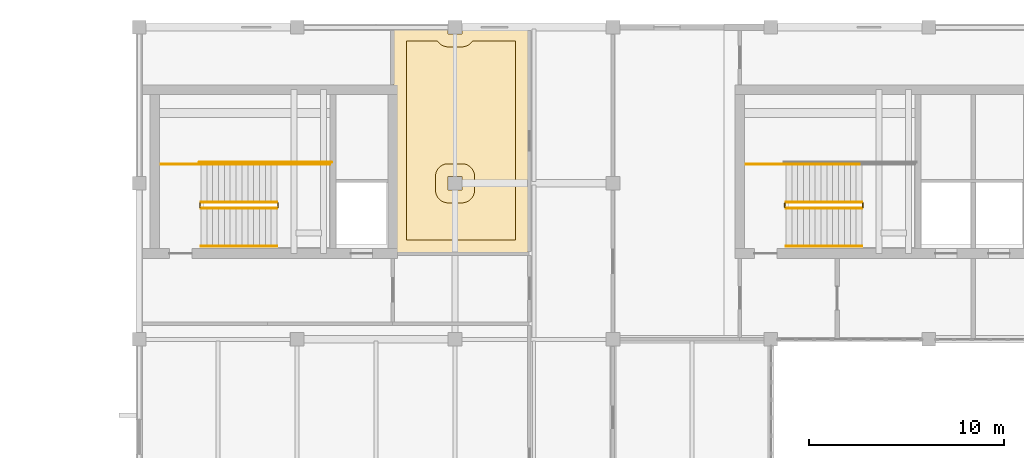
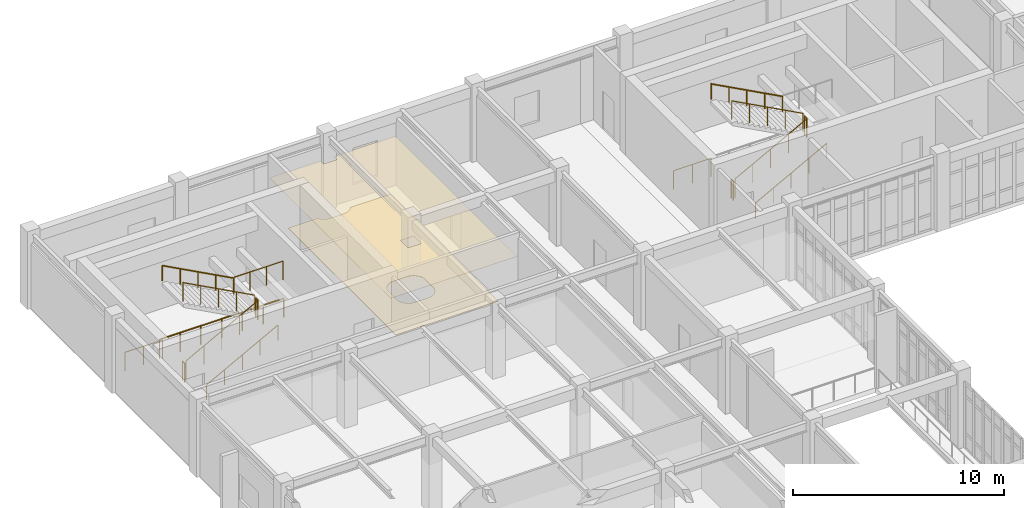
# One storey, part 65 of 67: 16 railings, 2 coverings.
"""IFC4 building model written with IfcOpenShell, lengths in metres."""

import ifcopenshell
import ifcopenshell.guid

model = None  # the IFC model being written
_history = None  # IfcOwnerHistory: only IFC2X3 demands one
_inside = {}  # id of a spatial element -> (the spatial element, [elements in it])
_under = {}  # id of a project, library or spatial element -> (it, [spatial elements below it])
_declared = {}  # id of a project -> (the project, [libraries it declares])
_typed = {}  # id of a type object -> (the type object, [elements of that type])
_made_of = {}  # id of a material, layer set ... -> (it, [elements and type objects made of it])


def new_model(schema):
    """Start an empty IFC model of exactly this schema.

    Asked for "IFC4X3", IfcOpenShell would pick the latest addendum, in which some entities
    have other attributes; the version numbers below select the first issue.
    IFC2X3 requires an IfcOwnerHistory on every rooted entity: one is made here for all.
    """
    global model, _history
    if schema == "IFC4X3":
        model = ifcopenshell.file(schema_version=(4, 3, 0, 0))
    else:
        model = ifcopenshell.file(schema=schema)
    _inside.clear()
    _under.clear()
    _declared.clear()
    _typed.clear()
    _made_of.clear()
    _history = None
    if model.schema == "IFC2X3":
        org = make("IfcOrganization", Name="unknown")
        user = make(
            "IfcPersonAndOrganization",
            ThePerson=make("IfcPerson", FamilyName="unknown"),
            TheOrganization=org,
        )
        app = make(
            "IfcApplication",
            ApplicationDeveloper=org,
            Version="unknown",
            ApplicationFullName="unknown",
            ApplicationIdentifier="unknown",
        )
        _history = make(
            "IfcOwnerHistory",
            OwningUser=user,
            OwningApplication=app,
            ChangeAction="ADDED",
            CreationDate=0,
        )
    return model


def make(cls, **values):
    """One entity of the class cls with the attributes given. An attribute that is None is left unset."""
    return model.create_entity(
        cls, **{name: value for name, value in values.items() if value is not None}
    )


def rooted(cls, **values):
    """An entity with a GlobalId (a new one), such as an element, a storey or a relation."""
    return make(cls, GlobalId=ifcopenshell.guid.new(), OwnerHistory=_history, **values)


def si_unit(unit_type, name, prefix=None):
    """IfcSIUnit, for example si_unit("LENGTHUNIT", "METRE", prefix="MILLI")."""
    return make("IfcSIUnit", UnitType=unit_type, Prefix=prefix, Name=name)


def assignment(units):
    """IfcUnitAssignment: the units of a project."""
    return None if units is None else make("IfcUnitAssignment", Units=units)


def point(xyz):
    """IfcCartesianPoint."""
    return None if xyz is None else make("IfcCartesianPoint", Coordinates=xyz)


def direction(xyz):
    """IfcDirection."""
    return None if xyz is None else make("IfcDirection", DirectionRatios=xyz)


def frame(location, z_axis=None, x_axis=None):
    """IfcAxis2Placement3D, a coordinate frame: its origin and axes. An axis left out is left unset."""
    return make(
        "IfcAxis2Placement3D",
        Location=point(location),
        Axis=direction(z_axis),
        RefDirection=direction(x_axis),
    )


def frame_2d(location, x_axis=None):
    """IfcAxis2Placement2D, a coordinate frame in the plane: its origin and x axis."""
    return make(
        "IfcAxis2Placement2D", Location=point(location), RefDirection=direction(x_axis)
    )


def origin():
    """The frame at (0, 0, 0) with its axes left unset."""
    return frame((0.0, 0.0, 0.0))


def origin_2d():
    """The frame at (0, 0) in the plane with its x axis left unset."""
    return frame_2d((0.0, 0.0))


def place(relative_to, where):
    """IfcLocalPlacement: puts the frame where relative to a parent placement (None: the world)."""
    return make(
        "IfcLocalPlacement", PlacementRelTo=relative_to, RelativePlacement=where
    )


def context(
    kind, dimensions, precision=None, world=None, true_north=None, identifier=None
):
    """IfcGeometricRepresentationContext, for example the 3D "Model" context."""
    return make(
        "IfcGeometricRepresentationContext",
        ContextIdentifier=identifier,
        ContextType=kind,
        CoordinateSpaceDimension=dimensions,
        Precision=precision,
        WorldCoordinateSystem=world,
        TrueNorth=true_north,
    )


def subcontext(parent, identifier, kind, view, scale=None):
    """IfcGeometricRepresentationSubContext, for example "Body" below "Model"."""
    return make(
        "IfcGeometricRepresentationSubContext",
        ContextIdentifier=identifier,
        ContextType=kind,
        ParentContext=parent,
        TargetScale=scale,
        TargetView=view,
    )


def project(units=None, contexts=None):
    """IfcProject with its units and contexts."""
    return rooted(
        "IfcProject",
        Name="project",
        RepresentationContexts=contexts,
        UnitsInContext=assignment(units),
    )


def spatial(cls, under=None, at=None, **own):
    """A site, building, storey or space (cls), placed at a placement, below another one or the project."""
    s = rooted(cls, ObjectPlacement=at, **own)
    if under is not None:
        _under.setdefault(under.id(), (under, []))[1].append(s)
    return s


def polyline(points):
    """IfcPolyline through the points."""
    return make("IfcPolyline", Points=[point(p) for p in points])


def profile(cls, at=None, kind="AREA", **sizes):
    """A parametric profile (cls). Its sizes go by their IFC names, for example OverallWidth=200.0."""
    return make(cls, ProfileType=kind, Position=at, **sizes)


def circle(**sizes):
    """IfcCircleProfileDef."""
    return profile("IfcCircleProfileDef", **sizes)


def outline(outer, holes=None, kind="AREA"):
    """IfcArbitraryClosedProfileDef: a profile drawn as a closed curve; with holes, ...WithVoids."""
    if holes is None:
        return make("IfcArbitraryClosedProfileDef", ProfileType=kind, OuterCurve=outer)
    return make(
        "IfcArbitraryProfileDefWithVoids",
        ProfileType=kind,
        OuterCurve=outer,
        InnerCurves=holes,
    )


def extrude(swept, where, along, depth):
    """IfcExtrudedAreaSolid: the profile swept, set in the frame where, extruded along a direction by depth."""
    return make(
        "IfcExtrudedAreaSolid",
        SweptArea=swept,
        Position=where,
        ExtrudedDirection=direction(along),
        Depth=depth,
    )


def shape(context_of_items, identifier, shape_type, items):
    """IfcShapeRepresentation: the items that make up one representation, for example the "Body"."""
    return make(
        "IfcShapeRepresentation",
        ContextOfItems=context_of_items,
        RepresentationIdentifier=identifier,
        RepresentationType=shape_type,
        Items=items,
    )


def material(Name=None, Category=None):
    """IfcMaterial."""
    return make("IfcMaterial", Name=Name, Category=Category)


def layer(
    of_material, thickness, ventilated=None, Name=None, Category=None, Priority=None
):
    """IfcMaterialLayer: one layer of a wall or slab, of a material (None: an air gap)."""
    return make(
        "IfcMaterialLayer",
        Material=of_material,
        LayerThickness=thickness,
        IsVentilated=ventilated,
        Name=Name,
        Category=Category,
        Priority=Priority,
    )


def layer_set(layers, Name=None):
    """IfcMaterialLayerSet."""
    return make("IfcMaterialLayerSet", MaterialLayers=layers, LayerSetName=Name)


def made_of(thing, what):
    """Note that an element or type object is made of a material, layer set ...; save() writes the relation."""
    if what is not None:
        _made_of.setdefault(what.id(), (what, []))[1].append(thing)
    return thing


def type_object(cls, material=None, **own):
    """A type object (cls), such as IfcWallType, which elements share."""
    return made_of(rooted(cls, **own), material)


def element(
    cls,
    number,
    at=None,
    inside=None,
    cuts=None,
    type_object=None,
    material=None,
    context=None,
    identifier="Body",
    shape_type=None,
    held_by="IfcProductDefinitionShape",
    body=None,
    shapes=None,
    **own,
):
    """One element of the class cls, such as IfcWall. Its Tag is "e" and its number.

    at: its placement. inside: the storey or other place that contains it. cuts: it is an
    opening in that element (IfcRelVoidsElement). A single representation is given by context,
    identifier, shape_type and body (its items); several are given by shapes. held_by: the class
    of the entity that holds the representations. save() writes the other relations.
    """
    e = rooted(cls, Tag="e%d" % number, ObjectPlacement=at, **own)
    if body is not None:
        shapes = [shape(context, identifier, shape_type, body)]
    if shapes is not None:
        e.Representation = make(held_by, Representations=shapes)
    if inside is not None:
        _inside.setdefault(inside.id(), (inside, []))[1].append(e)
    if cuts is not None:
        rooted(
            "IfcRelVoidsElement", RelatingBuildingElement=cuts, RelatedOpeningElement=e
        )
    if type_object is not None:
        _typed.setdefault(type_object.id(), (type_object, []))[1].append(e)
    return made_of(e, material)


def aggregate(whole, parts):
    """IfcRelAggregates: a whole, such as a stair, and the parts it consists of."""
    return rooted("IfcRelAggregates", RelatingObject=whole, RelatedObjects=parts)


def save(model, path):
    """Write the relations noted so far, then the file.

    IfcRelAggregates (storeys below a building ...), IfcRelContainedInSpatialStructure (elements
    in a storey), IfcRelDefinesByType, IfcRelAssociatesMaterial and IfcRelDeclares: one each for
    every whole, place, type object, material and project.
    """
    for whole, parts in _under.values():
        aggregate(whole, parts)
    for where, things in _inside.values():
        rooted(
            "IfcRelContainedInSpatialStructure",
            RelatedElements=things,
            RelatingStructure=where,
        )
    for kind, things in _typed.values():
        rooted("IfcRelDefinesByType", RelatedObjects=things, RelatingType=kind)
    for what, things in _made_of.values():
        rooted("IfcRelAssociatesMaterial", RelatedObjects=things, RelatingMaterial=what)
    for by, libraries in _declared.values():
        rooted("IfcRelDeclares", RelatingContext=by, RelatedDefinitions=libraries)
    model.write(path)


model = new_model("IFC4")

# Units and contexts
model_context = context("Model", 3, precision=1e-05, world=origin(), true_north=direction((0.0, 1.0)))
body_context = subcontext(model_context, "Body", "Model", "MODEL_VIEW")
ifc_project = project(units=[si_unit("LENGTHUNIT", "METRE"), si_unit("AREAUNIT", "SQUARE_METRE"), si_unit("VOLUMEUNIT", "CUBIC_METRE"), si_unit("PLANEANGLEUNIT", "RADIAN"), si_unit("MASSUNIT", "GRAM", prefix="KILO")], contexts=[model_context])

# Site, building, storey
site_placement = place(None, origin())
site = spatial("IfcSite", under=ifc_project, at=site_placement, CompositionType="ELEMENT")
building_placement = place(site_placement, origin())
building = spatial("IfcBuilding", under=site, at=building_placement, Name="Tarnveldt Square Police Headquarters", CompositionType="ELEMENT")
storey_placement = place(building_placement, frame((0.0, 0.0, 10.199951171875)))
storey = spatial("IfcBuildingStorey", under=building, at=storey_placement, Name="L02", CompositionType="ELEMENT", Elevation=10.199951171875)

# Coverings
ifc_material_1 = material(Name="Mineral-fibre acoustic ceiling tile", Category="gypsum")
ifc_layer_1 = layer(ifc_material_1, 0.02001953125)
ifc_layer_set_1 = layer_set([ifc_layer_1], Name="Mineral-fibre acoustic ceiling tile")
covering_type_1 = type_object("IfcCoveringType", Name="COV-CEIL-20", PredefinedType="CEILING", material=ifc_layer_set_1)
covering_1_placement = place(storey_placement, frame((0.0, 0.0, 2.75)))
element("IfcCovering", 1, at=covering_1_placement, inside=storey, type_object=covering_type_1, Name="Field Intelligence Briefing Room Acoustic Ceiling", PredefinedType="CEILING", context=body_context, shape_type="SweptSolid", body=[
    extrude(outline(polyline([(36.14990234375, 111.949951171875), (36.14990234375, 100.449951171875), (29.25, 100.449951171875), (29.25, 111.949951171875), (32.048095703125, 111.949951171875), (32.048095703125, 111.64794921875), (32.751953125, 111.64794921875), (32.751953125, 111.949951171875), (36.14990234375, 111.949951171875)]), holes=[polyline([(32.048095703125, 104.35205078125), (32.048095703125, 103.64794921875), (32.751953125, 103.64794921875), (32.751953125, 104.35205078125), (32.048095703125, 104.35205078125)])]), origin(), (0.0, 0.0, 1.0), 0.02001953125),
])
ifc_material_2 = material(Name="Polished cementitious terrazzo flooring", Category="concrete")
ifc_layer_2 = layer(ifc_material_2, 0.02490234375)
ifc_layer_set_2 = layer_set([ifc_layer_2], Name="Polished cementitious terrazzo flooring")
covering_type_2 = type_object("IfcCoveringType", Name="COV-FLR-25", PredefinedType="FLOORING", material=ifc_layer_set_2)
covering_2_placement = place(storey_placement, origin())
element("IfcCovering", 2, at=covering_2_placement, inside=storey, type_object=covering_type_2, Name="Field Intelligence Briefing Room Terrazzo Finish Flooring", PredefinedType="FLOORING", context=body_context, shape_type="SweptSolid", body=[
    extrude(outline(polyline([(31.499755859375, 111.300048828125), (31.507568359375, 111.286865234375), (31.545654296875, 111.235595703125), (31.58837890625, 111.1884765625), (31.6357421875, 111.1455078125), (31.686767578125, 111.107666015625), (31.74169921875, 111.07470703125), (31.79931640625, 111.04736328125), (31.859375, 111.02587890625), (31.921142578125, 111.010498046875), (31.984375, 111.001220703125), (32.048095703125, 110.998046875), (32.751953125, 110.998046875), (32.815673828125, 111.001220703125), (32.87890625, 111.010498046875), (32.940673828125, 111.02587890625), (33.000732421875, 111.04736328125), (33.058349609375, 111.07470703125), (33.113037109375, 111.107666015625), (33.164306640625, 111.1455078125), (33.211669921875, 111.1884765625), (33.25439453125, 111.235595703125), (33.29248046875, 111.286865234375), (33.30029296875, 111.300048828125), (35.5, 111.300048828125), (35.5, 101.10009765625), (29.89990234375, 101.10009765625), (29.89990234375, 111.300048828125), (31.499755859375, 111.300048828125)]), holes=[polyline([(32.048095703125, 105.001953125), (31.984375, 104.998779296875), (31.921142578125, 104.989501953125), (31.859375, 104.97412109375), (31.79931640625, 104.95263671875), (31.74169921875, 104.92529296875), (31.686767578125, 104.892333984375), (31.6357421875, 104.8544921875), (31.58837890625, 104.8115234375), (31.545654296875, 104.764404296875), (31.507568359375, 104.713134765625), (31.474853515625, 104.658447265625), (31.447509765625, 104.600830078125), (31.426025390625, 104.540771484375), (31.410400390625, 104.478759765625), (31.401123046875, 104.415771484375), (31.39794921875, 104.35205078125), (31.39794921875, 103.64794921875), (31.401123046875, 103.584228515625), (31.410400390625, 103.521240234375), (31.426025390625, 103.459228515625), (31.447509765625, 103.399169921875), (31.474853515625, 103.341552734375), (31.507568359375, 103.286865234375), (31.545654296875, 103.235595703125), (31.58837890625, 103.1884765625), (31.6357421875, 103.1455078125), (31.686767578125, 103.107666015625), (31.74169921875, 103.07470703125), (31.79931640625, 103.04736328125), (31.859375, 103.02587890625), (31.921142578125, 103.010498046875), (31.984375, 103.001220703125), (32.048095703125, 102.998046875), (32.751953125, 102.998046875), (32.815673828125, 103.001220703125), (32.87890625, 103.010498046875), (32.940673828125, 103.02587890625), (33.000732421875, 103.04736328125), (33.058349609375, 103.07470703125), (33.113037109375, 103.107666015625), (33.164306640625, 103.1455078125), (33.211669921875, 103.1884765625), (33.25439453125, 103.235595703125), (33.29248046875, 103.286865234375), (33.3251953125, 103.341552734375), (33.3525390625, 103.399169921875), (33.3740234375, 103.459228515625), (33.389404296875, 103.521240234375), (33.39892578125, 103.584228515625), (33.402099609375, 103.64794921875), (33.402099609375, 104.35205078125), (33.39892578125, 104.415771484375), (33.389404296875, 104.478759765625), (33.3740234375, 104.540771484375), (33.3525390625, 104.600830078125), (33.3251953125, 104.658447265625), (33.29248046875, 104.713134765625), (33.25439453125, 104.764404296875), (33.211669921875, 104.8115234375), (33.164306640625, 104.8544921875), (33.113037109375, 104.892333984375), (33.058349609375, 104.92529296875), (33.000732421875, 104.95263671875), (32.940673828125, 104.97412109375), (32.87890625, 104.989501953125), (32.815673828125, 104.998779296875), (32.751953125, 105.001953125), (32.048095703125, 105.001953125)])]), origin(), (0.0, 0.0, 1.0), 0.025146484375),
])

# Railings
ifc_material_3 = material(Name="Steel 350W", Category="steel")
railing_type_1 = type_object("IfcRailingType", Name="RL-GR-1100", PredefinedType="GUARDRAIL", material=ifc_material_3)
railing_1_placement = place(storey_placement, frame((19.3701171875, 102.719970703125, 0.16064453125)))
element("IfcRailing", 3, at=railing_1_placement, inside=storey, type_object=railing_type_1, Name="L02 ST2 stair guard 1", PredefinedType="GUARDRAIL", context=body_context, shape_type="SweptSolid", body=[
    extrude(circle(Radius=0.02392578125, at=origin_2d()), frame((0.0, 0.0, 1.076171875), z_axis=(0.881468485026, 0.0, 0.472242850561), x_axis=(0.0, 1.0, 0.0)), (0.0, 0.0, 1.0), 4.42431640625),
    extrude(circle(Radius=0.02099609375, at=origin_2d()), origin(), (0.0, 0.0, 1.0), 1.052001953125),
    extrude(circle(Radius=0.02099609375, at=origin_2d()), frame((0.97509765625, 0.0, 0.5224609375)), (0.0, 0.0, 1.0), 1.052001953125),
    extrude(circle(Radius=0.02099609375, at=origin_2d()), frame((1.949951171875, 0.0, 1.044677734375)), (0.0, 0.0, 1.0), 1.052001953125),
    extrude(circle(Radius=0.02099609375, at=origin_2d()), frame((2.9248046875, 0.0, 1.56689453125)), (0.0, 0.0, 1.0), 1.052001953125),
    extrude(circle(Radius=0.02099609375, at=origin_2d()), frame((3.89990234375, 0.0, 2.08935546875)), (0.0, 0.0, 1.0), 1.052001953125),
])
railing_2_placement = place(storey_placement, frame((23.320068359375, 102.77001953125, 2.25)))
element("IfcRailing", 4, at=railing_2_placement, inside=storey, type_object=railing_type_1, Name="L02 ST2 stair guard 2", PredefinedType="GUARDRAIL", context=body_context, shape_type="SweptSolid", body=[
    extrude(circle(Radius=0.02392578125, at=origin_2d()), frame((0.0, 0.0, 1.076171875), z_axis=(0.0, 1.0, 0.0), x_axis=(-1.0, 0.0, 0.0)), (0.0, 0.0, 1.0), 0.199951171875),
    extrude(circle(Radius=0.02099609375, at=origin_2d()), origin(), (0.0, 0.0, 1.0), 1.052001953125),
    extrude(circle(Radius=0.02099609375, at=origin_2d()), frame((0.0, 0.199951171875, 0.0)), (0.0, 0.0, 1.0), 1.052001953125),
])
railing_3_placement = place(storey_placement, frame((23.27001953125, 104.969970703125, 2.25)))
element("IfcRailing", 5, at=railing_3_placement, inside=storey, type_object=railing_type_1, Name="L02 ST2 stair guard 3", PredefinedType="GUARDRAIL", context=body_context, shape_type="SweptSolid", body=[
    extrude(circle(Radius=0.02392578125, at=origin_2d()), frame((0.0, 0.0, 1.076171875), z_axis=(1.0, 0.0, 0.0), x_axis=(0.0, 1.0, 0.0)), (0.0, 0.0, 1.0), 2.699951171875),
    extrude(circle(Radius=0.02099609375, at=origin_2d()), origin(), (0.0, 0.0, 1.0), 1.052001953125),
    extrude(circle(Radius=0.02099609375, at=origin_2d()), frame((0.89990234375, 0.0, 0.0)), (0.0, 0.0, 1.0), 1.052001953125),
    extrude(circle(Radius=0.02099609375, at=origin_2d()), frame((1.800048828125, 0.0, 0.0)), (0.0, 0.0, 1.0), 1.052001953125),
    extrude(circle(Radius=0.02099609375, at=origin_2d()), frame((2.699951171875, 0.0, 0.0)), (0.0, 0.0, 1.0), 1.052001953125),
])
railing_4_placement = place(storey_placement, frame((23.27001953125, 103.02001953125, 2.41064453125)))
element("IfcRailing", 6, at=railing_4_placement, inside=storey, type_object=railing_type_1, Name="L02 ST2 stair guard 4", PredefinedType="GUARDRAIL", context=body_context, shape_type="SweptSolid", body=[
    extrude(circle(Radius=0.02392578125, at=origin_2d()), frame((0.0, 0.0, 1.076171875), z_axis=(-0.881468485026, 0.0, 0.472242850561), x_axis=(0.0, -1.0, 0.0)), (0.0, 0.0, 1.0), 4.42431640625),
    extrude(circle(Radius=0.02099609375, at=origin_2d()), origin(), (0.0, 0.0, 1.0), 1.052001953125),
    extrude(circle(Radius=0.02099609375, at=origin_2d()), frame((-0.97509765625, 0.0, 0.5224609375)), (0.0, 0.0, 1.0), 1.052001953125),
    extrude(circle(Radius=0.02099609375, at=origin_2d()), frame((-1.949951171875, 0.0, 1.044677734375)), (0.0, 0.0, 1.0), 1.052001953125),
    extrude(circle(Radius=0.02099609375, at=origin_2d()), frame((-2.9248046875, 0.0, 1.56689453125)), (0.0, 0.0, 1.0), 1.052001953125),
    extrude(circle(Radius=0.02099609375, at=origin_2d()), frame((-3.89990234375, 0.0, 2.08935546875)), (0.0, 0.0, 1.0), 1.052001953125),
])
railing_5_placement = place(storey_placement, frame((19.320068359375, 102.77001953125, 0.0)))
element("IfcRailing", 7, at=railing_5_placement, inside=storey, type_object=railing_type_1, Name="L02 ST2 stair guard 5", PredefinedType="GUARDRAIL", context=body_context, shape_type="SweptSolid", body=[
    extrude(circle(Radius=0.02392578125, at=origin_2d()), frame((0.0, 0.0, 1.076171875), z_axis=(0.0, 1.0, 0.0), x_axis=(-1.0, 0.0, 0.0)), (0.0, 0.0, 1.0), 0.199951171875),
    extrude(circle(Radius=0.02099609375, at=origin_2d()), origin(), (0.0, 0.0, 1.0), 1.052001953125),
    extrude(circle(Radius=0.02099609375, at=origin_2d()), frame((0.0, 0.199951171875, 0.0)), (0.0, 0.0, 1.0), 1.052001953125),
])
railing_6_placement = place(storey_placement, frame((17.320068359375, 104.969970703125, 0.0)))
element("IfcRailing", 8, at=railing_6_placement, inside=storey, type_object=railing_type_1, Name="L02 ST2 stair guard 6", PredefinedType="GUARDRAIL", context=body_context, shape_type="SweptSolid", body=[
    extrude(circle(Radius=0.02392578125, at=origin_2d()), frame((0.0, 0.0, 1.076171875), z_axis=(1.0, 0.0, 0.0), x_axis=(0.0, 1.0, 0.0)), (0.0, 0.0, 1.0), 2.050048828125),
    extrude(circle(Radius=0.02099609375, at=origin_2d()), origin(), (0.0, 0.0, 1.0), 1.052001953125),
    extrude(circle(Radius=0.02099609375, at=origin_2d()), frame((1.02490234375, 0.0, 0.0)), (0.0, 0.0, 1.0), 1.052001953125),
    extrude(circle(Radius=0.02099609375, at=origin_2d()), frame((2.050048828125, 0.0, 0.0)), (0.0, 0.0, 1.0), 1.052001953125),
])
railing_7_placement = place(storey_placement, frame((19.27001953125, 105.070068359375, 0.0)))
element("IfcRailing", 9, at=railing_7_placement, inside=storey, type_object=railing_type_1, Name="L02 ST2 stair guard 7", PredefinedType="GUARDRAIL", context=body_context, shape_type="SweptSolid", body=[
    extrude(circle(Radius=0.02392578125, at=origin_2d()), frame((0.0, 0.0, 1.076171875), z_axis=(1.0, 0.0, 0.0), x_axis=(0.0, 1.0, 0.0)), (0.0, 0.0, 1.0), 6.800048828125),
    extrude(circle(Radius=0.02099609375, at=origin_2d()), origin(), (0.0, 0.0, 1.0), 1.052001953125),
    extrude(circle(Radius=0.02099609375, at=origin_2d()), frame((1.13330078125, 0.0, 0.0)), (0.0, 0.0, 1.0), 1.052001953125),
    extrude(circle(Radius=0.02099609375, at=origin_2d()), frame((2.2666015625, 0.0, 0.0)), (0.0, 0.0, 1.0), 1.052001953125),
    extrude(circle(Radius=0.02099609375, at=origin_2d()), frame((3.39990234375, 0.0, 0.0)), (0.0, 0.0, 1.0), 1.052001953125),
    extrude(circle(Radius=0.02099609375, at=origin_2d()), frame((4.533447265625, 0.0, 0.0)), (0.0, 0.0, 1.0), 1.052001953125),
    extrude(circle(Radius=0.02099609375, at=origin_2d()), frame((5.666748046875, 0.0, 0.0)), (0.0, 0.0, 1.0), 1.052001953125),
    extrude(circle(Radius=0.02099609375, at=origin_2d()), frame((6.800048828125, 0.0, 0.0)), (0.0, 0.0, 1.0), 1.052001953125),
])
railing_8_placement = place(storey_placement, frame((49.3701171875, 102.719970703125, 0.16064453125)))
element("IfcRailing", 10, at=railing_8_placement, inside=storey, type_object=railing_type_1, Name="L02 ST3 stair guard 1", PredefinedType="GUARDRAIL", context=body_context, shape_type="SweptSolid", body=[
    extrude(circle(Radius=0.02392578125, at=origin_2d()), frame((0.0, 0.0, 1.076171875), z_axis=(0.881468485026, 0.0, 0.472242850561), x_axis=(0.0, 1.0, 0.0)), (0.0, 0.0, 1.0), 4.42431640625),
    extrude(circle(Radius=0.02099609375, at=origin_2d()), origin(), (0.0, 0.0, 1.0), 1.052001953125),
    extrude(circle(Radius=0.02099609375, at=origin_2d()), frame((0.97509765625, 0.0, 0.5224609375)), (0.0, 0.0, 1.0), 1.052001953125),
    extrude(circle(Radius=0.02099609375, at=origin_2d()), frame((1.949951171875, 0.0, 1.044677734375)), (0.0, 0.0, 1.0), 1.052001953125),
    extrude(circle(Radius=0.02099609375, at=origin_2d()), frame((2.9248046875, 0.0, 1.56689453125)), (0.0, 0.0, 1.0), 1.052001953125),
    extrude(circle(Radius=0.02099609375, at=origin_2d()), frame((3.89990234375, 0.0, 2.08935546875)), (0.0, 0.0, 1.0), 1.052001953125),
])
railing_9_placement = place(storey_placement, frame((53.320068359375, 102.77001953125, 2.25)))
element("IfcRailing", 11, at=railing_9_placement, inside=storey, type_object=railing_type_1, Name="L02 ST3 stair guard 2", PredefinedType="GUARDRAIL", context=body_context, shape_type="SweptSolid", body=[
    extrude(circle(Radius=0.02392578125, at=origin_2d()), frame((0.0, 0.0, 1.076171875), z_axis=(0.0, 1.0, 0.0), x_axis=(-1.0, 0.0, 0.0)), (0.0, 0.0, 1.0), 0.199951171875),
    extrude(circle(Radius=0.02099609375, at=origin_2d()), origin(), (0.0, 0.0, 1.0), 1.052001953125),
    extrude(circle(Radius=0.02099609375, at=origin_2d()), frame((0.0, 0.199951171875, 0.0)), (0.0, 0.0, 1.0), 1.052001953125),
])
railing_10_placement = place(storey_placement, frame((53.27001953125, 103.02001953125, 2.41064453125)))
element("IfcRailing", 12, at=railing_10_placement, inside=storey, type_object=railing_type_1, Name="L02 ST3 stair guard 4", PredefinedType="GUARDRAIL", context=body_context, shape_type="SweptSolid", body=[
    extrude(circle(Radius=0.02392578125, at=origin_2d()), frame((0.0, 0.0, 1.076171875), z_axis=(-0.881468485026, 0.0, 0.472242850561), x_axis=(0.0, -1.0, 0.0)), (0.0, 0.0, 1.0), 4.42431640625),
    extrude(circle(Radius=0.02099609375, at=origin_2d()), origin(), (0.0, 0.0, 1.0), 1.052001953125),
    extrude(circle(Radius=0.02099609375, at=origin_2d()), frame((-0.97509765625, 0.0, 0.5224609375)), (0.0, 0.0, 1.0), 1.052001953125),
    extrude(circle(Radius=0.02099609375, at=origin_2d()), frame((-1.949951171875, 0.0, 1.044677734375)), (0.0, 0.0, 1.0), 1.052001953125),
    extrude(circle(Radius=0.02099609375, at=origin_2d()), frame((-2.9248046875, 0.0, 1.56689453125)), (0.0, 0.0, 1.0), 1.052001953125),
    extrude(circle(Radius=0.02099609375, at=origin_2d()), frame((-3.89990234375, 0.0, 2.08935546875)), (0.0, 0.0, 1.0), 1.052001953125),
])
railing_11_placement = place(storey_placement, frame((49.320068359375, 102.77001953125, 0.0)))
element("IfcRailing", 13, at=railing_11_placement, inside=storey, type_object=railing_type_1, Name="L02 ST3 stair guard 5", PredefinedType="GUARDRAIL", context=body_context, shape_type="SweptSolid", body=[
    extrude(circle(Radius=0.02392578125, at=origin_2d()), frame((0.0, 0.0, 1.076171875), z_axis=(0.0, 1.0, 0.0), x_axis=(-1.0, 0.0, 0.0)), (0.0, 0.0, 1.0), 0.199951171875),
    extrude(circle(Radius=0.02099609375, at=origin_2d()), origin(), (0.0, 0.0, 1.0), 1.052001953125),
    extrude(circle(Radius=0.02099609375, at=origin_2d()), frame((0.0, 0.199951171875, 0.0)), (0.0, 0.0, 1.0), 1.052001953125),
])
railing_12_placement = place(storey_placement, frame((47.320068359375, 104.969970703125, 0.0)))
element("IfcRailing", 14, at=railing_12_placement, inside=storey, type_object=railing_type_1, Name="L02 ST3 stair guard 6", PredefinedType="GUARDRAIL", context=body_context, shape_type="SweptSolid", body=[
    extrude(circle(Radius=0.02392578125, at=origin_2d()), frame((0.0, 0.0, 1.076171875), z_axis=(1.0, 0.0, 0.0), x_axis=(0.0, 1.0, 0.0)), (0.0, 0.0, 1.0), 2.050048828125),
    extrude(circle(Radius=0.02099609375, at=origin_2d()), origin(), (0.0, 0.0, 1.0), 1.052001953125),
    extrude(circle(Radius=0.02099609375, at=origin_2d()), frame((1.02490234375, 0.0, 0.0)), (0.0, 0.0, 1.0), 1.052001953125),
    extrude(circle(Radius=0.02099609375, at=origin_2d()), frame((2.050048828125, 0.0, 0.0)), (0.0, 0.0, 1.0), 1.052001953125),
])
railing_type_2 = type_object("IfcRailingType", Name="RL-HR-900", PredefinedType="HANDRAIL", material=ifc_material_3)
railing_13_placement = place(storey_placement, frame((19.3701171875, 100.77001953125, 0.16064453125)))
element("IfcRailing", 15, at=railing_13_placement, inside=storey, type_object=railing_type_2, Name="L02 ST2 stair handrail 1", PredefinedType="HANDRAIL", context=body_context, shape_type="SweptSolid", body=[
    extrude(circle(Radius=0.02392578125, at=origin_2d()), frame((0.0, 0.0, 0.8759765625), z_axis=(0.881468485026, 0.0, 0.472242850561), x_axis=(0.0, 1.0, 0.0)), (0.0, 0.0, 1.0), 4.42431640625),
    extrude(circle(Radius=0.02099609375, at=origin_2d()), origin(), (0.0, 0.0, 1.0), 0.851806640625),
    extrude(circle(Radius=0.02099609375, at=origin_2d()), frame((0.97509765625, 0.0, 0.5224609375)), (0.0, 0.0, 1.0), 0.851806640625),
    extrude(circle(Radius=0.02099609375, at=origin_2d()), frame((1.949951171875, 0.0, 1.044677734375)), (0.0, 0.0, 1.0), 0.851806640625),
    extrude(circle(Radius=0.02099609375, at=origin_2d()), frame((2.9248046875, 0.0, 1.56689453125)), (0.0, 0.0, 1.0), 0.851806640625),
    extrude(circle(Radius=0.02099609375, at=origin_2d()), frame((3.89990234375, 0.0, 2.08935546875)), (0.0, 0.0, 1.0), 0.851806640625),
])
railing_14_placement = place(storey_placement, frame((23.27001953125, 104.969970703125, 2.41064453125)))
element("IfcRailing", 16, at=railing_14_placement, inside=storey, type_object=railing_type_2, Name="L02 ST2 stair handrail 2", PredefinedType="HANDRAIL", context=body_context, shape_type="SweptSolid", body=[
    extrude(circle(Radius=0.02392578125, at=origin_2d()), frame((0.0, 0.0, 0.8759765625), z_axis=(-0.881468485026, 0.0, 0.472242850561), x_axis=(0.0, -1.0, 0.0)), (0.0, 0.0, 1.0), 4.42431640625),
    extrude(circle(Radius=0.02099609375, at=origin_2d()), origin(), (0.0, 0.0, 1.0), 0.851806640625),
    extrude(circle(Radius=0.02099609375, at=origin_2d()), frame((-0.97509765625, 0.0, 0.5224609375)), (0.0, 0.0, 1.0), 0.851806640625),
    extrude(circle(Radius=0.02099609375, at=origin_2d()), frame((-1.949951171875, 0.0, 1.044677734375)), (0.0, 0.0, 1.0), 0.851806640625),
    extrude(circle(Radius=0.02099609375, at=origin_2d()), frame((-2.9248046875, 0.0, 1.56689453125)), (0.0, 0.0, 1.0), 0.851806640625),
    extrude(circle(Radius=0.02099609375, at=origin_2d()), frame((-3.89990234375, 0.0, 2.08935546875)), (0.0, 0.0, 1.0), 0.851806640625),
])
railing_15_placement = place(storey_placement, frame((49.3701171875, 100.77001953125, 0.16064453125)))
element("IfcRailing", 17, at=railing_15_placement, inside=storey, type_object=railing_type_2, Name="L02 ST3 stair handrail 1", PredefinedType="HANDRAIL", context=body_context, shape_type="SweptSolid", body=[
    extrude(circle(Radius=0.02392578125, at=origin_2d()), frame((0.0, 0.0, 0.8759765625), z_axis=(0.881468485026, 0.0, 0.472242850561), x_axis=(0.0, 1.0, 0.0)), (0.0, 0.0, 1.0), 4.42431640625),
    extrude(circle(Radius=0.02099609375, at=origin_2d()), origin(), (0.0, 0.0, 1.0), 0.851806640625),
    extrude(circle(Radius=0.02099609375, at=origin_2d()), frame((0.97509765625, 0.0, 0.5224609375)), (0.0, 0.0, 1.0), 0.851806640625),
    extrude(circle(Radius=0.02099609375, at=origin_2d()), frame((1.949951171875, 0.0, 1.044677734375)), (0.0, 0.0, 1.0), 0.851806640625),
    extrude(circle(Radius=0.02099609375, at=origin_2d()), frame((2.9248046875, 0.0, 1.56689453125)), (0.0, 0.0, 1.0), 0.851806640625),
    extrude(circle(Radius=0.02099609375, at=origin_2d()), frame((3.89990234375, 0.0, 2.08935546875)), (0.0, 0.0, 1.0), 0.851806640625),
])
railing_16_placement = place(storey_placement, frame((53.27001953125, 104.969970703125, 2.41064453125)))
element("IfcRailing", 18, at=railing_16_placement, inside=storey, type_object=railing_type_2, Name="L02 ST3 stair handrail 2", PredefinedType="HANDRAIL", context=body_context, shape_type="SweptSolid", body=[
    extrude(circle(Radius=0.02392578125, at=origin_2d()), frame((0.0, 0.0, 0.8759765625), z_axis=(-0.881468485026, 0.0, 0.472242850561), x_axis=(0.0, -1.0, 0.0)), (0.0, 0.0, 1.0), 4.42431640625),
    extrude(circle(Radius=0.02099609375, at=origin_2d()), origin(), (0.0, 0.0, 1.0), 0.851806640625),
    extrude(circle(Radius=0.02099609375, at=origin_2d()), frame((-0.97509765625, 0.0, 0.5224609375)), (0.0, 0.0, 1.0), 0.851806640625),
    extrude(circle(Radius=0.02099609375, at=origin_2d()), frame((-1.949951171875, 0.0, 1.044677734375)), (0.0, 0.0, 1.0), 0.851806640625),
    extrude(circle(Radius=0.02099609375, at=origin_2d()), frame((-2.9248046875, 0.0, 1.56689453125)), (0.0, 0.0, 1.0), 0.851806640625),
    extrude(circle(Radius=0.02099609375, at=origin_2d()), frame((-3.89990234375, 0.0, 2.08935546875)), (0.0, 0.0, 1.0), 0.851806640625),
])

save(model, "model.ifc")
